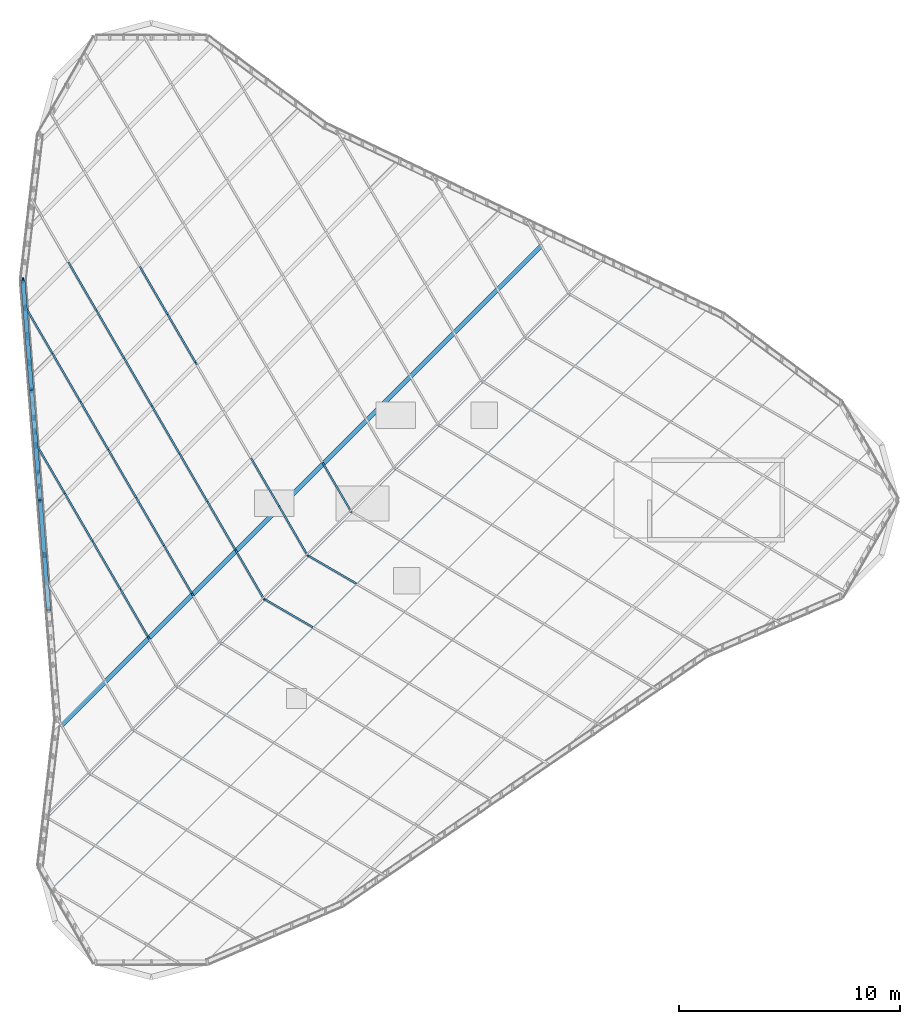
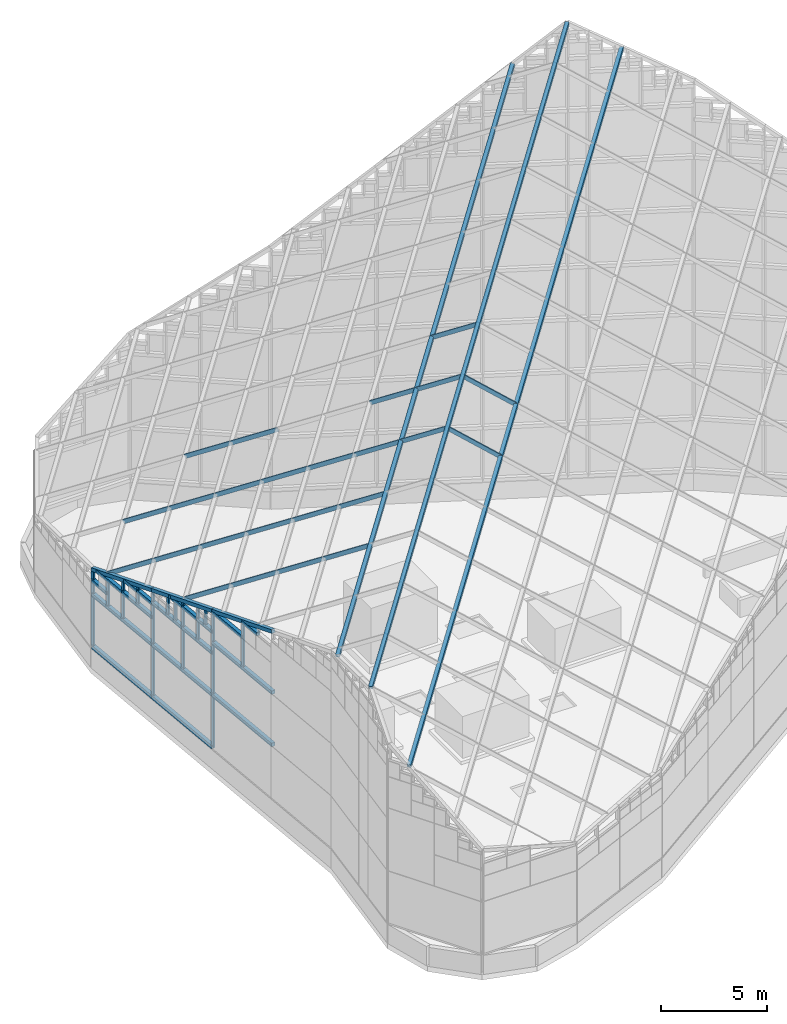
# One storey, part 4 of 29: 60 members, 1 element without a shape of its own.
"""IFC4 building model written with IfcOpenShell, lengths in metres."""

from ifc_helpers import new_model, si_unit, direction, frame, origin, origin_2d, place, context, subcontext, project, spatial, rectangle, extrude, material, material_profile, profile_set, type_object, element, aggregate, save


model = new_model("IFC4")

# Units and contexts
model_context = context("Model", 3, precision=1e-05, world=origin(), true_north=direction((0.0, 1.0)))
body_context = subcontext(model_context, "Body", "Model", "MODEL_VIEW")
ifc_project = project(units=[si_unit("LENGTHUNIT", "METRE"), si_unit("AREAUNIT", "SQUARE_METRE"), si_unit("VOLUMEUNIT", "CUBIC_METRE"), si_unit("PLANEANGLEUNIT", "RADIAN"), si_unit("MASSUNIT", "GRAM", prefix="KILO")], contexts=[model_context])

# Site, building, storey
site_placement = place(None, origin())
site = spatial("IfcSite", under=ifc_project, at=site_placement, CompositionType="ELEMENT")
building_placement = place(site_placement, origin())
building = spatial("IfcBuilding", under=site, at=building_placement, Name="Tanit Gate Tower", CompositionType="ELEMENT")
storey_placement = place(building_placement, frame((0.0, 0.0, 445.300048828125)))
storey = spatial("IfcBuildingStorey", under=building, at=storey_placement, Name="ROOF", CompositionType="ELEMENT", Elevation=445.300048828125)

# Curtain wall, members
ifc_material_1 = material(Name="Aluminium bronze anodised and glass", Category="aluminium")
curtain_wall_type = type_object("IfcCurtainWallType", Name="Curtain wall crown roof", PredefinedType="NOTDEFINED", material=ifc_material_1)
curtain_wall_placement = place(storey_placement, origin())
curtain_wall = element("IfcCurtainWall", 1, at=curtain_wall_placement, inside=storey, type_object=curtain_wall_type, Name="Crown lantern", PredefinedType="NOTDEFINED")
ifc_material_2 = material(Name="Aluminium bronze anodised", Category="aluminium")
ifc_material_profile_1 = material_profile(ifc_material_2, rectangle(XDim=0.080078125, YDim=0.219970703125, at=origin_2d()), Name="80x220 bronze rafter")
ifc_profile_set_1 = profile_set([ifc_material_profile_1], Name="Aluminium bronze anodised")
member_type_1 = type_object("IfcMemberType", Name="Mullion 80x220 crown roof", PredefinedType="MULLION", material=ifc_profile_set_1)
member_1_placement = place(storey_placement, frame((-15.390380859375, 9.950439453125, 1.199951171875), z_axis=(0.0, 0.0, 1.0), x_axis=(1.0, 0.0, 0.0)))
member_1 = element("IfcMember", 2, at=member_1_placement, type_object=member_type_1, Name="Lantern mullion 14", PredefinedType="MULLION", context=body_context, shape_type="SweptSolid", body=[
    extrude(rectangle(XDim=0.080078125, YDim=0.219970703125, at=origin_2d()), origin(), (0.0, 0.0, 1.0), 4.442138671875),
])
member_2_placement = place(storey_placement, frame((-15.001953125, 4.97412109375, 1.199951171875), z_axis=(0.0, 0.0, 1.0), x_axis=(1.0, 0.0, 0.0)))
member_2 = element("IfcMember", 3, at=member_2_placement, type_object=member_type_1, Name="Lantern mullion 15", PredefinedType="MULLION", context=body_context, shape_type="SweptSolid", body=[
    extrude(rectangle(XDim=0.080078125, YDim=0.219970703125, at=origin_2d()), origin(), (0.0, 0.0, 1.0), 6.135498046875),
])
member_3_placement = place(storey_placement, frame((-14.613525390625, -0.00244140625, 1.199951171875), z_axis=(0.0, 0.0, 1.0), x_axis=(1.0, 0.0, 0.0)))
member_3 = element("IfcMember", 4, at=member_3_placement, type_object=member_type_1, Name="Lantern mullion 16", PredefinedType="MULLION", context=body_context, shape_type="SweptSolid", body=[
    extrude(rectangle(XDim=0.080078125, YDim=0.219970703125, at=origin_2d()), origin(), (0.0, 0.0, 1.0), 7.8291015625),
])
member_4_placement = place(storey_placement, frame((-15.1962890625, 7.462158203125, 4.199951171875), z_axis=(0.0, 0.0, 1.0), x_axis=(1.0, 0.0, 0.0)))
member_4 = element("IfcMember", 5, at=member_4_placement, type_object=member_type_1, Name="Lantern clerestory bar 14.2.1", PredefinedType="MULLION", context=body_context, shape_type="SweptSolid", body=[
    extrude(rectangle(XDim=0.080078125, YDim=0.219970703125, at=origin_2d()), origin(), (0.0, 0.0, 1.0), 2.288818359375),
])
member_5_placement = place(storey_placement, frame((-15.29345703125, 8.706298828125, 4.199951171875), z_axis=(0.0, 0.0, 1.0), x_axis=(1.0, 0.0, 0.0)))
member_5 = element("IfcMember", 6, at=member_5_placement, type_object=member_type_1, Name="Lantern clerestory bar 14.2.3", PredefinedType="MULLION", context=body_context, shape_type="SweptSolid", body=[
    extrude(rectangle(XDim=0.080078125, YDim=0.219970703125, at=origin_2d()), origin(), (0.0, 0.0, 1.0), 1.56787109375),
])
member_6_placement = place(storey_placement, frame((-15.09912109375, 6.21826171875, 5.767822265625), z_axis=(0.0, 0.0, 1.0), x_axis=(1.0, 0.0, 0.0)))
member_6 = element("IfcMember", 7, at=member_6_placement, type_object=member_type_1, Name="Lantern clerestory bar 14.2.7", PredefinedType="MULLION", context=body_context, shape_type="SweptSolid", body=[
    extrude(rectangle(XDim=0.080078125, YDim=0.219970703125, at=origin_2d()), origin(), (0.0, 0.0, 1.0), 1.144287109375),
])
member_7_placement = place(storey_placement, frame((-14.8076171875, 2.48583984375, 4.199951171875), z_axis=(0.0, 0.0, 1.0), x_axis=(1.0, 0.0, 0.0)))
member_7 = element("IfcMember", 8, at=member_7_placement, type_object=member_type_1, Name="Lantern clerestory bar 15.2.1", PredefinedType="MULLION", context=body_context, shape_type="SweptSolid", body=[
    extrude(rectangle(XDim=0.080078125, YDim=0.219970703125, at=origin_2d()), origin(), (0.0, 0.0, 1.0), 3.982421875),
])
member_8_placement = place(storey_placement, frame((-14.90478515625, 3.72998046875, 6.614501953125), z_axis=(0.0, 0.0, 1.0), x_axis=(1.0, 0.0, 0.0)))
member_8 = element("IfcMember", 9, at=member_8_placement, type_object=member_type_1, Name="Lantern clerestory bar 15.2.3", PredefinedType="MULLION", context=body_context, shape_type="SweptSolid", body=[
    extrude(rectangle(XDim=0.080078125, YDim=0.219970703125, at=origin_2d()), origin(), (0.0, 0.0, 1.0), 1.144287109375),
])
member_9_placement = place(storey_placement, frame((-14.856201171875, 3.10791015625, 6.614501953125), z_axis=(0.0, 0.0, 1.0), x_axis=(1.0, 0.0, 0.0)))
member_9 = element("IfcMember", 10, at=member_9_placement, type_object=member_type_1, Name="Lantern clerestory bar 15.2.9", PredefinedType="MULLION", context=body_context, shape_type="SweptSolid", body=[
    extrude(rectangle(XDim=0.080078125, YDim=0.219970703125, at=origin_2d()), origin(), (0.0, 0.0, 1.0), 1.207275390625),
])
member_10_placement = place(storey_placement, frame((-14.71044921875, 1.24169921875, 6.614501953125), z_axis=(0.0, 0.0, 1.0), x_axis=(1.0, 0.0, 0.0)))
member_10 = element("IfcMember", 11, at=member_10_placement, type_object=member_type_1, Name="Lantern clerestory bar 15.2.12", PredefinedType="MULLION", context=body_context, shape_type="SweptSolid", body=[
    extrude(rectangle(XDim=0.080078125, YDim=0.219970703125, at=origin_2d()), origin(), (0.0, 0.0, 1.0), 1.9912109375),
])
member_11_placement = place(storey_placement, frame((-14.662109375, 0.61962890625, 7.82177734375), z_axis=(0.0, 0.0, 1.0), x_axis=(1.0, 0.0, 0.0)))
member_11 = element("IfcMember", 12, at=member_11_placement, type_object=member_type_1, Name="Lantern clerestory bar 15.2.15", PredefinedType="MULLION", context=body_context, shape_type="SweptSolid", body=[
    extrude(rectangle(XDim=0.080078125, YDim=0.219970703125, at=origin_2d()), origin(), (0.0, 0.0, 1.0), 0.99560546875),
])
member_12_placement = place(storey_placement, frame((-14.419189453125, -2.490478515625, 7.199951171875), z_axis=(0.0, 0.0, 1.0), x_axis=(1.0, 0.0, 0.0)))
member_12 = element("IfcMember", 13, at=member_12_placement, type_object=member_type_1, Name="Lantern clerestory bar 16.3.1", PredefinedType="MULLION", context=body_context, shape_type="SweptSolid", body=[
    extrude(rectangle(XDim=0.080078125, YDim=0.219970703125, at=origin_2d()), origin(), (0.0, 0.0, 1.0), 2.67578125),
])
member_13_placement = place(storey_placement, frame((-9.685791015625, -6.2548828125, 14.838623046875), z_axis=(-0.420098879156, 0.723494582662, -0.547788755444), x_axis=(-0.864786221347, -0.502140210865, 0.0)))
member_13 = element("IfcMember", 14, at=member_13_placement, type_object=member_type_1, Name="Lantern rafter E4", PredefinedType="MULLION", context=body_context, shape_type="SweptSolid", body=[
    extrude(rectangle(XDim=0.080078125, YDim=0.219970703125, at=origin_2d()), origin(), (0.0, 0.0, 1.0), 3.0),
])
member_14_placement = place(storey_placement, frame((-10.946044921875, -4.08447265625, 13.1953125), z_axis=(-0.420165895971, 0.723469846055, -0.547770026299), x_axis=(-0.864743978712, -0.502212954116, 0.0)))
member_14 = element("IfcMember", 15, at=member_14_placement, type_object=member_type_1, Name="Lantern rafter E4", PredefinedType="MULLION", context=body_context, shape_type="SweptSolid", body=[
    extrude(rectangle(XDim=0.080078125, YDim=0.219970703125, at=origin_2d()), origin(), (0.0, 0.0, 1.0), 3.0),
])
member_15_placement = place(storey_placement, frame((-12.20654296875, -1.9140625, 11.552001953125), z_axis=(-0.420074144471, 0.723533362745, -0.547756502602), x_axis=(-0.864810745962, -0.502097972181, 0.0)))
member_15 = element("IfcMember", 16, at=member_15_placement, type_object=member_type_1, Name="Lantern rafter E4", PredefinedType="MULLION", context=body_context, shape_type="SweptSolid", body=[
    extrude(rectangle(XDim=0.080078125, YDim=0.219970703125, at=origin_2d()), origin(), (0.0, 0.0, 1.0), 3.0),
])
member_16_placement = place(storey_placement, frame((-13.466796875, 0.256591796875, 9.90869140625), z_axis=(-0.420098879156, 0.723494582662, -0.547788755444), x_axis=(-0.864786221347, -0.502140210865, 0.0)))
member_16 = element("IfcMember", 17, at=member_16_placement, type_object=member_type_1, Name="Lantern rafter E4", PredefinedType="MULLION", context=body_context, shape_type="SweptSolid", body=[
    extrude(rectangle(XDim=0.080078125, YDim=0.219970703125, at=origin_2d()), origin(), (0.0, 0.0, 1.0), 3.0),
])
member_17_placement = place(storey_placement, frame((-7.71044921875, -4.27978515625, 15.9326171875), z_axis=(-0.420141159031, 0.723508627725, -0.547737776765), x_axis=(-0.864768509235, -0.502170713438, 0.0)))
member_17 = element("IfcMember", 18, at=member_17_placement, type_object=member_type_1, Name="Lantern rafter E5", PredefinedType="MULLION", context=body_context, shape_type="SweptSolid", body=[
    extrude(rectangle(XDim=0.080078125, YDim=0.219970703125, at=origin_2d()), origin(), (0.0, 0.0, 1.0), 3.000244140625),
])
member_18_placement = place(storey_placement, frame((-8.970947265625, -2.109130859375, 14.289306640625), z_axis=(-0.420098879156, 0.723494582662, -0.547788755444), x_axis=(-0.864786221347, -0.502140210865, 0.0)))
member_18 = element("IfcMember", 19, at=member_18_placement, type_object=member_type_1, Name="Lantern rafter E5", PredefinedType="MULLION", context=body_context, shape_type="SweptSolid", body=[
    extrude(rectangle(XDim=0.080078125, YDim=0.219970703125, at=origin_2d()), origin(), (0.0, 0.0, 1.0), 3.0),
])
member_19_placement = place(storey_placement, frame((-10.231201171875, 0.061279296875, 12.64599609375), z_axis=(-0.420098879156, 0.723494582662, -0.547788755444), x_axis=(-0.864786221347, -0.502140210865, 0.0)))
member_19 = element("IfcMember", 20, at=member_19_placement, type_object=member_type_1, Name="Lantern rafter E5", PredefinedType="MULLION", context=body_context, shape_type="SweptSolid", body=[
    extrude(rectangle(XDim=0.080078125, YDim=0.219970703125, at=origin_2d()), origin(), (0.0, 0.0, 1.0), 3.0),
])
member_20_placement = place(storey_placement, frame((-11.491455078125, 2.231689453125, 11.002685546875), z_axis=(-0.420141159031, 0.723508627725, -0.547737776765), x_axis=(-0.864768509235, -0.502170713438, 0.0)))
member_20 = element("IfcMember", 21, at=member_20_placement, type_object=member_type_1, Name="Lantern rafter E5", PredefinedType="MULLION", context=body_context, shape_type="SweptSolid", body=[
    extrude(rectangle(XDim=0.080078125, YDim=0.219970703125, at=origin_2d()), origin(), (0.0, 0.0, 1.0), 3.000244140625),
])
member_21_placement = place(storey_placement, frame((-12.751953125, 4.40234375, 9.359375), z_axis=(-0.420080150726, 0.723462328546, -0.54784571381), x_axis=(-0.864786221347, -0.502140210865, 0.0)))
member_21 = element("IfcMember", 22, at=member_21_placement, type_object=member_type_1, Name="Lantern rafter E5", PredefinedType="MULLION", context=body_context, shape_type="SweptSolid", body=[
    extrude(rectangle(XDim=0.080078125, YDim=0.219970703125, at=origin_2d()), origin(), (0.0, 0.0, 1.0), 3.0),
])
member_22_placement = place(storey_placement, frame((-14.01220703125, 6.57275390625, 7.7158203125), z_axis=(-0.420098879156, 0.723494582662, -0.547788755444), x_axis=(-0.864786221347, -0.502140210865, 0.0)))
member_22 = element("IfcMember", 23, at=member_22_placement, type_object=member_type_1, Name="Lantern rafter E5", PredefinedType="MULLION", context=body_context, shape_type="SweptSolid", body=[
    extrude(rectangle(XDim=0.080078125, YDim=0.219970703125, at=origin_2d()), origin(), (0.0, 0.0, 1.0), 3.0),
])
member_23_placement = place(storey_placement, frame((-4.474853515625, -4.474853515625, 18.669921875), z_axis=(-0.420165895971, 0.723469846055, -0.547770026299), x_axis=(-0.864743978712, -0.502212954116, 0.0)))
member_23 = element("IfcMember", 24, at=member_23_placement, type_object=member_type_1, Name="Lantern rafter E6", PredefinedType="MULLION", context=body_context, shape_type="SweptSolid", body=[
    extrude(rectangle(XDim=0.080078125, YDim=0.219970703125, at=origin_2d()), origin(), (0.0, 0.0, 1.0), 3.0),
])
member_24_placement = place(storey_placement, frame((-5.7353515625, -2.304443359375, 17.026611328125), z_axis=(-0.420098879156, 0.723494582662, -0.547788755444), x_axis=(-0.864786221347, -0.502140210865, 0.0)))
member_24 = element("IfcMember", 25, at=member_24_placement, type_object=member_type_1, Name="Lantern rafter E6", PredefinedType="MULLION", context=body_context, shape_type="SweptSolid", body=[
    extrude(rectangle(XDim=0.080078125, YDim=0.219970703125, at=origin_2d()), origin(), (0.0, 0.0, 1.0), 3.0),
])
member_25_placement = place(storey_placement, frame((-6.99560546875, -0.134033203125, 15.38330078125), z_axis=(-0.420141159031, 0.723508627725, -0.547737776765), x_axis=(-0.864768509235, -0.502170713438, 0.0)))
member_25 = element("IfcMember", 26, at=member_25_placement, type_object=member_type_1, Name="Lantern rafter E6", PredefinedType="MULLION", context=body_context, shape_type="SweptSolid", body=[
    extrude(rectangle(XDim=0.080078125, YDim=0.219970703125, at=origin_2d()), origin(), (0.0, 0.0, 1.0), 3.000244140625),
])
member_26_placement = place(storey_placement, frame((-8.256103515625, 2.03662109375, 13.739990234375), z_axis=(-0.420098879156, 0.723494582662, -0.547788755444), x_axis=(-0.864786221347, -0.502140210865, 0.0)))
member_26 = element("IfcMember", 27, at=member_26_placement, type_object=member_type_1, Name="Lantern rafter E6", PredefinedType="MULLION", context=body_context, shape_type="SweptSolid", body=[
    extrude(rectangle(XDim=0.080078125, YDim=0.219970703125, at=origin_2d()), origin(), (0.0, 0.0, 1.0), 3.0),
])
member_27_placement = place(storey_placement, frame((-9.516357421875, 4.20703125, 12.0966796875), z_axis=(-0.420098879156, 0.723494582662, -0.547788755444), x_axis=(-0.864786221347, -0.502140210865, 0.0)))
member_27 = element("IfcMember", 28, at=member_27_placement, type_object=member_type_1, Name="Lantern rafter E6", PredefinedType="MULLION", context=body_context, shape_type="SweptSolid", body=[
    extrude(rectangle(XDim=0.080078125, YDim=0.219970703125, at=origin_2d()), origin(), (0.0, 0.0, 1.0), 3.0),
])
member_28_placement = place(storey_placement, frame((-10.776611328125, 6.37744140625, 10.453369140625), z_axis=(-0.420147165834, 0.723437595248, -0.547826984388), x_axis=(-0.864743978712, -0.502212954116, 0.0)))
member_28 = element("IfcMember", 29, at=member_28_placement, type_object=member_type_1, Name="Lantern rafter E6", PredefinedType="MULLION", context=body_context, shape_type="SweptSolid", body=[
    extrude(rectangle(XDim=0.080078125, YDim=0.219970703125, at=origin_2d()), origin(), (0.0, 0.0, 1.0), 3.000244140625),
])
member_29_placement = place(storey_placement, frame((-12.037109375, 8.5478515625, 8.809814453125), z_axis=(-0.420074144471, 0.723533362745, -0.547756502602), x_axis=(-0.864810745962, -0.502097972181, 0.0)))
member_29 = element("IfcMember", 30, at=member_29_placement, type_object=member_type_1, Name="Lantern rafter E6", PredefinedType="MULLION", context=body_context, shape_type="SweptSolid", body=[
    extrude(rectangle(XDim=0.080078125, YDim=0.219970703125, at=origin_2d()), origin(), (0.0, 0.0, 1.0), 3.0),
])
member_30_placement = place(storey_placement, frame((-2.499755859375, -2.499755859375, 19.763916015625), z_axis=(-0.420098879156, 0.723494582662, -0.547788755444), x_axis=(-0.864786221347, -0.502140210865, 0.0)))
member_30 = element("IfcMember", 31, at=member_30_placement, type_object=member_type_1, Name="Lantern rafter E7", PredefinedType="MULLION", context=body_context, shape_type="SweptSolid", body=[
    extrude(rectangle(XDim=0.080078125, YDim=0.219970703125, at=origin_2d()), origin(), (0.0, 0.0, 1.0), 3.0),
])
member_31_placement = place(storey_placement, frame((-3.760009765625, -0.329345703125, 18.12060546875), z_axis=(-0.420141159031, 0.723508627725, -0.547737776765), x_axis=(-0.864768509235, -0.502170713438, 0.0)))
member_31 = element("IfcMember", 32, at=member_31_placement, type_object=member_type_1, Name="Lantern rafter E7", PredefinedType="MULLION", context=body_context, shape_type="SweptSolid", body=[
    extrude(rectangle(XDim=0.080078125, YDim=0.219970703125, at=origin_2d()), origin(), (0.0, 0.0, 1.0), 3.000244140625),
])
member_32_placement = place(storey_placement, frame((-7.541015625, 6.18212890625, 13.190673828125), z_axis=(-0.420122432202, 0.723476378986, -0.547794734376), x_axis=(-0.864768509235, -0.502170713438, 0.0)))
member_32 = element("IfcMember", 33, at=member_32_placement, type_object=member_type_1, Name="Lantern rafter E7", PredefinedType="MULLION", context=body_context, shape_type="SweptSolid", body=[
    extrude(rectangle(XDim=0.080078125, YDim=0.219970703125, at=origin_2d()), origin(), (0.0, 0.0, 1.0), 3.000244140625),
])
member_33_placement = place(storey_placement, frame((-8.801513671875, 8.352783203125, 11.547119140625), z_axis=(-0.420098879156, 0.723494582662, -0.547788755444), x_axis=(-0.864786221347, -0.502140210865, 0.0)))
member_33 = element("IfcMember", 34, at=member_33_placement, type_object=member_type_1, Name="Lantern rafter E7", PredefinedType="MULLION", context=body_context, shape_type="SweptSolid", body=[
    extrude(rectangle(XDim=0.080078125, YDim=0.219970703125, at=origin_2d()), origin(), (0.0, 0.0, 1.0), 3.0),
])
member_34_placement = place(storey_placement, frame((-0.5244140625, -0.5244140625, 20.85791015625), z_axis=(-0.420165895971, 0.723469846055, -0.547770026299), x_axis=(-0.864743978712, -0.502212954116, 0.0)))
member_34 = element("IfcMember", 35, at=member_34_placement, type_object=member_type_1, Name="Lantern rafter E8", PredefinedType="MULLION", context=body_context, shape_type="SweptSolid", body=[
    extrude(rectangle(XDim=0.080078125, YDim=0.219970703125, at=origin_2d()), origin(), (0.0, 0.0, 1.0), 3.0),
])
member_35_placement = place(storey_placement, frame((-4.474853515625, -4.474853515625, 18.669921875), z_axis=(0.723469846055, -0.420165895971, -0.547770026299), x_axis=(0.502212954116, 0.864743978712, 0.0)))
member_35 = element("IfcMember", 36, at=member_35_placement, type_object=member_type_1, Name="Lantern rafter W8", PredefinedType="MULLION", context=body_context, shape_type="SweptSolid", body=[
    extrude(rectangle(XDim=0.080078125, YDim=0.219970703125, at=origin_2d()), origin(), (0.0, 0.0, 1.0), 3.0),
])
member_36_placement = place(storey_placement, frame((-2.499755859375, -2.499755859375, 19.763916015625), z_axis=(0.723494582662, -0.420098879156, -0.547788755444), x_axis=(0.502140210865, 0.864786221347, 0.0)))
member_36 = element("IfcMember", 37, at=member_36_placement, type_object=member_type_1, Name="Lantern rafter W9", PredefinedType="MULLION", context=body_context, shape_type="SweptSolid", body=[
    extrude(rectangle(XDim=0.080078125, YDim=0.219970703125, at=origin_2d()), origin(), (0.0, 0.0, 1.0), 3.0),
])
ifc_material_3 = material(Name="Aluminium bronze anodised", Category="aluminium")
ifc_material_profile_2 = material_profile(ifc_material_3, rectangle(XDim=0.199951171875, YDim=0.199951171875, at=origin_2d()), Name="200x200 bronze transom")
ifc_profile_set_2 = profile_set([ifc_material_profile_2], Name="Aluminium bronze anodised")
member_type_2 = type_object("IfcMemberType", Name="Transom 200x200 crown roof", PredefinedType="USERDEFINED", material=ifc_profile_set_2)
member_37_placement = place(storey_placement, frame((-15.390380859375, 9.950439453125, 1.199951171875), z_axis=(0.077818542659, -0.9969675393, 0.0), x_axis=(0.9969675393, 0.077818542659, 0.0)))
member_37 = element("IfcMember", 38, at=member_37_placement, type_object=member_type_2, Name="Lantern eave beam 14", ObjectType="TRANSOM", PredefinedType="USERDEFINED", context=body_context, shape_type="SweptSolid", body=[
    extrude(rectangle(XDim=0.199951171875, YDim=0.199951171875, at=origin_2d()), origin(), (0.0, 0.0, 1.0), 4.991455078125),
])
member_38_placement = place(storey_placement, frame((-15.390380859375, 9.950439453125, 5.64208984375), z_axis=(0.073693265624, -0.94411680278, 0.321267435808), x_axis=(0.9969675393, 0.077818542659, 0.0)))
member_38 = element("IfcMember", 39, at=member_38_placement, type_object=member_type_2, Name="Lantern edge beam 14", ObjectType="TRANSOM", PredefinedType="USERDEFINED", context=body_context, shape_type="SweptSolid", body=[
    extrude(rectangle(XDim=0.199951171875, YDim=0.199951171875, at=origin_2d()), origin(), (0.0, 0.0, 1.0), 5.270751953125),
])
member_39_placement = place(storey_placement, frame((-15.001953125, 4.97412109375, 1.199951171875), z_axis=(0.077814748148, -0.996967835475, 0.0), x_axis=(0.996967835475, 0.077814748148, 0.0)))
member_39 = element("IfcMember", 40, at=member_39_placement, type_object=member_type_2, Name="Lantern eave beam 15", ObjectType="TRANSOM", PredefinedType="USERDEFINED", context=body_context, shape_type="SweptSolid", body=[
    extrude(rectangle(XDim=0.199951171875, YDim=0.199951171875, at=origin_2d()), origin(), (0.0, 0.0, 1.0), 4.99169921875),
])
member_40_placement = place(storey_placement, frame((-15.001953125, 4.97412109375, 7.33544921875), z_axis=(0.073688946601, -0.944107785993, 0.321294923049), x_axis=(0.996967835475, 0.077814748148, 0.0)))
member_40 = element("IfcMember", 41, at=member_40_placement, type_object=member_type_2, Name="Lantern edge beam 15", ObjectType="TRANSOM", PredefinedType="USERDEFINED", context=body_context, shape_type="SweptSolid", body=[
    extrude(rectangle(XDim=0.199951171875, YDim=0.199951171875, at=origin_2d()), origin(), (0.0, 0.0, 1.0), 5.271240234375),
])
member_41_placement = place(storey_placement, frame((-14.613525390625, -0.00244140625, 9.029052734375), z_axis=(0.073739332679, -0.944113579148, 0.321266338859), x_axis=(0.996963743433, 0.077867157903, 0.0)))
member_41 = element("IfcMember", 42, at=member_41_placement, type_object=member_type_2, Name="Lantern edge beam 16", ObjectType="TRANSOM", PredefinedType="USERDEFINED", context=body_context, shape_type="SweptSolid", body=[
    extrude(rectangle(XDim=0.199951171875, YDim=0.199951171875, at=origin_2d()), origin(), (0.0, 0.0, 1.0), 5.27099609375),
])
member_42_placement = place(storey_placement, frame((-15.390380859375, 9.950439453125, 4.199951171875), z_axis=(0.077818542659, -0.9969675393, 0.0), x_axis=(0.9969675393, 0.077818542659, 0.0)))
member_42 = element("IfcMember", 43, at=member_42_placement, type_object=member_type_2, Name="Lantern clerestory transom 14.1", ObjectType="TRANSOM", PredefinedType="USERDEFINED", context=body_context, shape_type="SweptSolid", body=[
    extrude(rectangle(XDim=0.199951171875, YDim=0.199951171875, at=origin_2d()), origin(), (0.0, 0.0, 1.0), 4.991455078125),
])
member_43_placement = place(storey_placement, frame((-15.361572265625, 9.58154296875, 5.767822265625), z_axis=(0.077750331417, -0.996972861198, 0.0), x_axis=(0.996972861198, 0.077750331417, 0.0)))
member_43 = element("IfcMember", 44, at=member_43_placement, type_object=member_type_2, Name="Lantern clerestory bar 14.2.2", ObjectType="TRANSOM", PredefinedType="USERDEFINED", context=body_context, shape_type="SweptSolid", body=[
    extrude(rectangle(XDim=0.199951171875, YDim=0.199951171875, at=origin_2d()), origin(), (0.0, 0.0, 1.0), 2.125732421875),
])
member_44_placement = place(storey_placement, frame((-15.390380859375, 9.950439453125, 4.98388671875), z_axis=(0.077668906111, -0.996979207919, 0.0), x_axis=(0.996979207919, 0.077668906111, 0.0)))
member_44 = element("IfcMember", 45, at=member_44_placement, type_object=member_type_2, Name="Lantern clerestory bar 14.2.4", ObjectType="TRANSOM", PredefinedType="USERDEFINED", context=body_context, shape_type="SweptSolid", body=[
    extrude(rectangle(XDim=0.199951171875, YDim=0.199951171875, at=origin_2d()), origin(), (0.0, 0.0, 1.0), 1.247802734375),
])
member_45_placement = place(storey_placement, frame((-15.1962890625, 7.462158203125, 5.767822265625), z_axis=(0.077870955126, -0.996963446846, 0.0), x_axis=(0.996963446846, 0.077870955126, 0.0)))
member_45 = element("IfcMember", 46, at=member_45_placement, type_object=member_type_2, Name="Lantern clerestory bar 14.2.6", ObjectType="TRANSOM", PredefinedType="USERDEFINED", context=body_context, shape_type="SweptSolid", body=[
    extrude(rectangle(XDim=0.199951171875, YDim=0.199951171875, at=origin_2d()), origin(), (0.0, 0.0, 1.0), 2.49560546875),
])
member_46_placement = place(storey_placement, frame((-15.181884765625, 7.27783203125, 6.5517578125), z_axis=(0.077873397193, -0.996963256098, 0.0), x_axis=(0.996963256098, 0.077873397193, 0.0)))
member_46 = element("IfcMember", 47, at=member_46_placement, type_object=member_type_2, Name="Lantern clerestory bar 14.2.8", ObjectType="TRANSOM", PredefinedType="USERDEFINED", context=body_context, shape_type="SweptSolid", body=[
    extrude(rectangle(XDim=0.199951171875, YDim=0.199951171875, at=origin_2d()), origin(), (0.0, 0.0, 1.0), 1.062744140625),
])
member_47_placement = place(storey_placement, frame((-15.09912109375, 6.21826171875, 6.5517578125), z_axis=(0.07786336105, -0.996964039976, 0.0), x_axis=(0.996964039976, 0.07786336105, 0.0)))
member_47 = element("IfcMember", 48, at=member_47_placement, type_object=member_type_2, Name="Lantern clerestory bar 14.2.10", ObjectType="TRANSOM", PredefinedType="USERDEFINED", context=body_context, shape_type="SweptSolid", body=[
    extrude(rectangle(XDim=0.199951171875, YDim=0.199951171875, at=origin_2d()), origin(), (0.0, 0.0, 1.0), 1.248046875),
])
member_48_placement = place(storey_placement, frame((-15.001953125, 4.97412109375, 4.199951171875), z_axis=(0.077814748148, -0.996967835475, 0.0), x_axis=(0.996967835475, 0.077814748148, 0.0)))
member_48 = element("IfcMember", 49, at=member_48_placement, type_object=member_type_2, Name="Lantern clerestory transom 15.1", ObjectType="TRANSOM", PredefinedType="USERDEFINED", context=body_context, shape_type="SweptSolid", body=[
    extrude(rectangle(XDim=0.199951171875, YDim=0.199951171875, at=origin_2d()), origin(), (0.0, 0.0, 1.0), 4.99169921875),
])
member_49_placement = place(storey_placement, frame((-15.001953125, 4.97412109375, 6.614501953125), z_axis=(0.07786336105, -0.996964039976, 0.0), x_axis=(0.996964039976, 0.07786336105, 0.0)))
member_49 = element("IfcMember", 50, at=member_49_placement, type_object=member_type_2, Name="Lantern clerestory bar 15.2.2", ObjectType="TRANSOM", PredefinedType="USERDEFINED", context=body_context, shape_type="SweptSolid", body=[
    extrude(rectangle(XDim=0.199951171875, YDim=0.199951171875, at=origin_2d()), origin(), (0.0, 0.0, 1.0), 2.495849609375),
])
member_50_placement = place(storey_placement, frame((-14.890380859375, 3.54541015625, 7.82177734375), z_axis=(0.077873397193, -0.996963256098, 0.0), x_axis=(0.996963256098, 0.077873397193, 0.0)))
member_50 = element("IfcMember", 51, at=member_50_placement, type_object=member_type_2, Name="Lantern clerestory bar 15.2.8", ObjectType="TRANSOM", PredefinedType="USERDEFINED", context=body_context, shape_type="SweptSolid", body=[
    extrude(rectangle(XDim=0.199951171875, YDim=0.199951171875, at=origin_2d()), origin(), (0.0, 0.0, 1.0), 1.062744140625),
])
member_51_placement = place(storey_placement, frame((-14.8076171875, 2.48583984375, 6.614501953125), z_axis=(0.07776613469, -0.996971628631, 0.0), x_axis=(0.996971628631, 0.07776613469, 0.0)))
member_51 = element("IfcMember", 52, at=member_51_placement, type_object=member_type_2, Name="Lantern clerestory bar 15.2.11", ObjectType="TRANSOM", PredefinedType="USERDEFINED", context=body_context, shape_type="SweptSolid", body=[
    extrude(rectangle(XDim=0.199951171875, YDim=0.199951171875, at=origin_2d()), origin(), (0.0, 0.0, 1.0), 2.495849609375),
])
member_52_placement = place(storey_placement, frame((-14.8076171875, 2.48583984375, 7.82177734375), z_axis=(0.07786336105, -0.996964039976, 0.0), x_axis=(0.996964039976, 0.07786336105, 0.0)))
member_52 = element("IfcMember", 53, at=member_52_placement, type_object=member_type_2, Name="Lantern clerestory bar 15.2.13", ObjectType="TRANSOM", PredefinedType="USERDEFINED", context=body_context, shape_type="SweptSolid", body=[
    extrude(rectangle(XDim=0.199951171875, YDim=0.199951171875, at=origin_2d()), origin(), (0.0, 0.0, 1.0), 1.248046875),
])
member_53_placement = place(storey_placement, frame((-14.71044921875, 1.24169921875, 7.82177734375), z_axis=(0.077668906111, -0.996979207919, 0.0), x_axis=(0.996979207919, 0.077668906111, 0.0)))
member_53 = element("IfcMember", 54, at=member_53_placement, type_object=member_type_2, Name="Lantern clerestory bar 15.2.14", ObjectType="TRANSOM", PredefinedType="USERDEFINED", context=body_context, shape_type="SweptSolid", body=[
    extrude(rectangle(XDim=0.199951171875, YDim=0.199951171875, at=origin_2d()), origin(), (0.0, 0.0, 1.0), 1.247802734375),
])
member_54_placement = place(storey_placement, frame((-14.613525390625, -0.00244140625, 4.199951171875), z_axis=(0.077867157903, -0.996963743433, 0.0), x_axis=(0.996963743433, 0.077867157903, 0.0)))
member_54 = element("IfcMember", 55, at=member_54_placement, type_object=member_type_2, Name="Lantern clerestory transom 16.1", ObjectType="TRANSOM", PredefinedType="USERDEFINED", context=body_context, shape_type="SweptSolid", body=[
    extrude(rectangle(XDim=0.199951171875, YDim=0.199951171875, at=origin_2d()), origin(), (0.0, 0.0, 1.0), 4.991455078125),
])
member_55_placement = place(storey_placement, frame((-14.613525390625, -0.00244140625, 7.199951171875), z_axis=(0.077867157903, -0.996963743433, 0.0), x_axis=(0.996963743433, 0.077867157903, 0.0)))
member_55 = element("IfcMember", 56, at=member_55_placement, type_object=member_type_2, Name="Lantern clerestory transom 16.2", ObjectType="TRANSOM", PredefinedType="USERDEFINED", context=body_context, shape_type="SweptSolid", body=[
    extrude(rectangle(XDim=0.199951171875, YDim=0.199951171875, at=origin_2d()), origin(), (0.0, 0.0, 1.0), 4.991455078125),
])
member_56_placement = place(storey_placement, frame((-14.613525390625, -0.00244140625, 8.961181640625), z_axis=(0.077870955126, -0.996963446846, 0.0), x_axis=(0.996963446846, 0.077870955126, 0.0)))
member_56 = element("IfcMember", 57, at=member_56_placement, type_object=member_type_2, Name="Lantern clerestory bar 16.3.2", ObjectType="TRANSOM", PredefinedType="USERDEFINED", context=body_context, shape_type="SweptSolid", body=[
    extrude(rectangle(XDim=0.199951171875, YDim=0.199951171875, at=origin_2d()), origin(), (0.0, 0.0, 1.0), 2.49560546875),
])
member_57_placement = place(storey_placement, frame((-14.419189453125, -2.490478515625, 9.841796875), z_axis=(0.07786336105, -0.996964039976, 0.0), x_axis=(0.996964039976, 0.07786336105, 0.0)))
member_57 = element("IfcMember", 58, at=member_57_placement, type_object=member_type_2, Name="Lantern clerestory bar 16.3.5", ObjectType="TRANSOM", PredefinedType="USERDEFINED", context=body_context, shape_type="SweptSolid", body=[
    extrude(rectangle(XDim=0.199951171875, YDim=0.199951171875, at=origin_2d()), origin(), (0.0, 0.0, 1.0), 1.248046875),
])
member_58_placement = place(storey_placement, frame((-14.351318359375, -14.351318359375, 13.199951171875), z_axis=(0.65841585, 0.65841585, 0.364660303486), x_axis=(-0.707106781187, 0.707106781187, 0.0)))
member_58 = element("IfcMember", 59, at=member_58_placement, type_object=member_type_2, Name="Lantern ridge bar", ObjectType="TRANSOM", PredefinedType="USERDEFINED", context=body_context, shape_type="SweptSolid", body=[
    extrude(rectangle(XDim=0.199951171875, YDim=0.199951171875, at=origin_2d()), origin(), (0.0, 0.0, 1.0), 38.391845703125),
])
member_59_placement = place(storey_placement, frame((-13.89599609375, -10.46533203125, 12.506591796875), z_axis=(0.65841106092, 0.658418204905, 0.364664698466), x_axis=(-0.70711061733, 0.707102945022, 0.0)))
member_59 = element("IfcMember", 60, at=member_59_placement, type_object=member_type_2, Name="Lantern purlin E1", ObjectType="TRANSOM", PredefinedType="USERDEFINED", context=body_context, shape_type="SweptSolid", body=[
    extrude(rectangle(XDim=0.199951171875, YDim=0.199951171875, at=origin_2d()), origin(), (0.0, 0.0, 1.0), 34.17431640625),
])
member_60_placement = place(storey_placement, frame((-14.07666015625, -17.507568359375, 10.506591796875), z_axis=(0.658412503387, 0.658418386167, 0.364661766766), x_axis=(-0.707109940092, 0.707103622267, 0.0)))
member_60 = element("IfcMember", 61, at=member_60_placement, type_object=member_type_2, Name="Lantern purlin W1", ObjectType="TRANSOM", PredefinedType="USERDEFINED", context=body_context, shape_type="SweptSolid", body=[
    extrude(rectangle(XDim=0.199951171875, YDim=0.199951171875, at=origin_2d()), origin(), (0.0, 0.0, 1.0), 41.5009765625),
])
aggregate(curtain_wall, [member_1, member_37, member_38, member_2, member_39, member_40, member_3, member_41, member_42, member_4, member_43, member_5, member_44, member_45, member_6, member_46, member_47, member_48, member_7, member_49, member_8, member_50, member_9, member_51, member_10, member_52, member_53, member_11, member_54, member_55, member_12, member_56, member_57, member_58, member_59, member_13, member_14, member_15, member_16, member_17, member_18, member_19, member_20, member_21, member_22, member_23, member_24, member_25, member_26, member_27, member_28, member_29, member_30, member_31, member_32, member_33, member_34, member_60, member_35, member_36])

save(model, "model.ifc")
